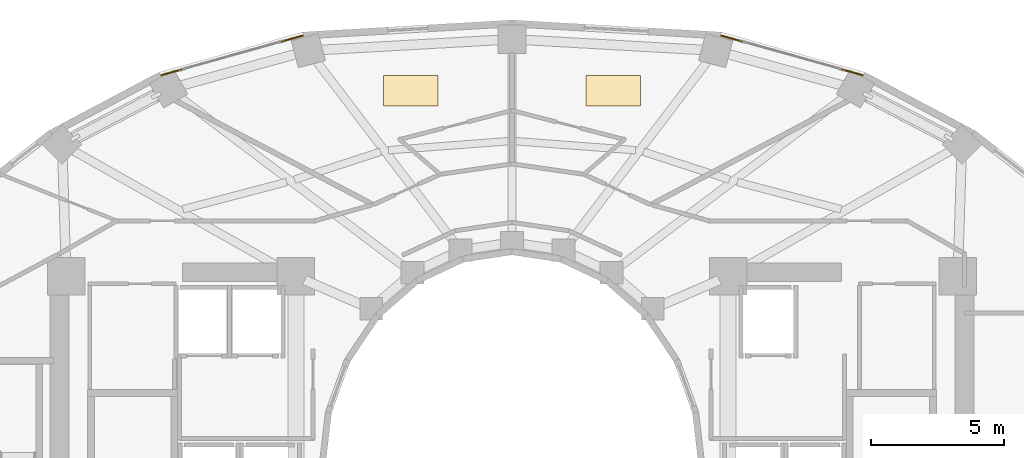
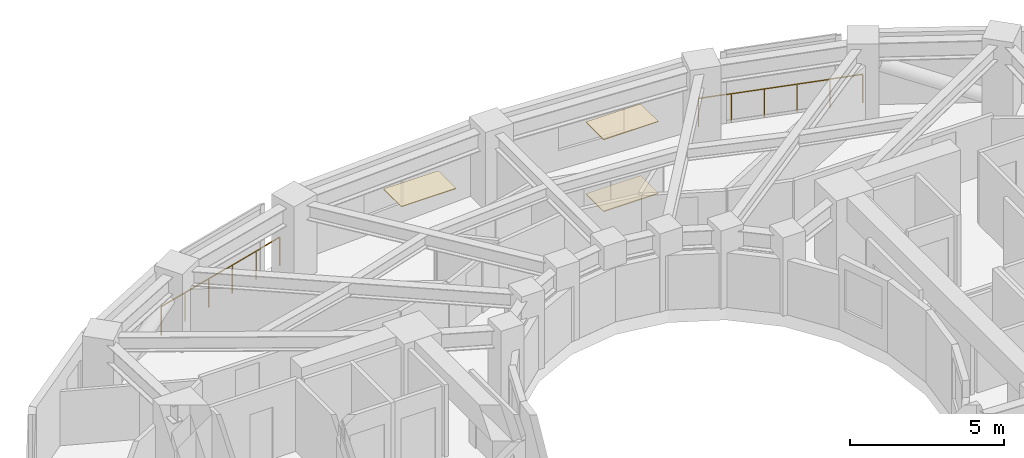
# One storey, part 18 of 18: 3 coverings, 2 railings.
"""IFC4 building model written with IfcOpenShell, lengths in metres."""

from ifc_helpers import new_model, si_unit, direction, frame, origin, origin_2d, place, context, subcontext, project, spatial, polyline, circle, outline, extrude, material, layer, layer_set, type_object, element, save


model = new_model("IFC4")

# Units and contexts
model_context = context("Model", 3, precision=1e-05, world=origin(), true_north=direction((0.0, 1.0)))
body_context = subcontext(model_context, "Body", "Model", "MODEL_VIEW")
ifc_project = project(units=[si_unit("LENGTHUNIT", "METRE"), si_unit("AREAUNIT", "SQUARE_METRE"), si_unit("VOLUMEUNIT", "CUBIC_METRE"), si_unit("PLANEANGLEUNIT", "RADIAN"), si_unit("MASSUNIT", "GRAM", prefix="KILO")], contexts=[model_context])

# Site, building, storey
site_placement = place(None, origin())
site = spatial("IfcSite", under=ifc_project, at=site_placement, CompositionType="ELEMENT")
building_placement = place(site_placement, origin())
building = spatial("IfcBuilding", under=site, at=building_placement, Name="Solvane Sanctuary Tower", CompositionType="ELEMENT")
storey_placement = place(building_placement, frame((0.0, 0.0, 94.89990234375)))
storey = spatial("IfcBuildingStorey", under=building, at=storey_placement, Name="L28", CompositionType="ELEMENT", Elevation=94.89990234375)

# Coverings
ifc_material_1 = material(Name="Acoustic Gypsum Partition Board")
ifc_layer_1 = layer(ifc_material_1, 0.02490234375, Name="Acoustic Gypsum Partition Board")
ifc_layer_set_1 = layer_set([ifc_layer_1], Name="Acoustic Gypsum Partition Board")
covering_type_1 = type_object("IfcCoveringType", Name="Covering CLG-ACOUST", PredefinedType="CEILING", material=ifc_layer_set_1)
covering_1_placement = place(storey_placement, frame((0.0, 0.0, 2.85009765625)))
element("IfcCovering", 1, at=covering_1_placement, inside=storey, type_object=covering_type_1, Name="L28 Unit Acoustic Ceiling Panel 1", PredefinedType="CEILING", context=body_context, shape_type="SweptSolid", body=[
    extrude(outline(polyline([(34.76708984375, 36.575927734375), (36.81689453125, 36.575927734375), (36.81689453125, 37.72607421875), (34.76708984375, 37.72607421875), (34.76708984375, 36.575927734375)])), origin(), (0.0, 0.0, 1.0), 0.030029296875),
])
covering_2_placement = place(storey_placement, frame((0.0, 0.0, 2.85009765625)))
element("IfcCovering", 2, at=covering_2_placement, inside=storey, type_object=covering_type_1, Name="L28 Unit Acoustic Ceiling Panel 2", PredefinedType="CEILING", context=body_context, shape_type="SweptSolid", body=[
    extrude(outline(polyline([(27.18310546875, 36.575927734375), (29.23291015625, 36.575927734375), (29.23291015625, 37.72607421875), (27.18310546875, 37.72607421875), (27.18310546875, 36.575927734375)])), origin(), (0.0, 0.0, 1.0), 0.030029296875),
])
ifc_material_2 = material(Name="Ceramic Tile Finish")
ifc_layer_2 = layer(ifc_material_2, 0.030029296875, Name="Ceramic Tile Finish")
ifc_layer_set_2 = layer_set([ifc_layer_2], Name="Ceramic Tile Finish")
covering_type_2 = type_object("IfcCoveringType", Name="Covering FLR-TERRAZZO", PredefinedType="FLOORING", material=ifc_layer_set_2)
covering_3_placement = place(storey_placement, origin())
element("IfcCovering", 3, at=covering_3_placement, inside=storey, type_object=covering_type_2, Name="L28 Unit Terrazzo Inlay 1", PredefinedType="FLOORING", context=body_context, shape_type="SweptSolid", body=[
    extrude(outline(polyline([(34.76708984375, 36.575927734375), (36.81689453125, 36.575927734375), (36.81689453125, 37.72607421875), (34.76708984375, 37.72607421875), (34.76708984375, 36.575927734375)])), origin(), (0.0, 0.0, 1.0), 0.03515625),
])

# Railings
ifc_material_3 = material(Name="Architectural Stainless Steel 316", Category="steel")
railing_type = type_object("IfcRailingType", Name="Railing GR-BALC-1150", PredefinedType="BALUSTRADE", material=ifc_material_3)
railing_1_placement = place(storey_placement, frame((45.144287109375, 37.7294921875, 0.0)))
element("IfcRailing", 4, at=railing_1_placement, inside=storey, type_object=railing_type, Name="L28 Curtain-Wall Perimeter Sill Guard 04", PredefinedType="BALUSTRADE", context=body_context, shape_type="SweptSolid", body=[
    extrude(circle(Radius=0.02392578125, at=origin_2d()), frame((0.0, 0.0, 1.1259765625), z_axis=(-0.96295710783, 0.269654609601, 0.0), x_axis=(-0.269654609601, -0.96295710783, 0.0)), (0.0, 0.0, 1.0), 5.5029296875),
    extrude(circle(Radius=0.02099609375, at=origin_2d()), origin(), (0.0, 0.0, 1.0), 1.101806640625),
    extrude(circle(Radius=0.02099609375, at=origin_2d()), frame((-1.059814453125, 0.296875, 0.0)), (0.0, 0.0, 1.0), 1.101806640625),
    extrude(circle(Radius=0.02099609375, at=origin_2d()), frame((-2.11962890625, 0.593505859375, 0.0)), (0.0, 0.0, 1.0), 1.101806640625),
    extrude(circle(Radius=0.02099609375, at=origin_2d()), frame((-3.179443359375, 0.890380859375, 0.0)), (0.0, 0.0, 1.0), 1.101806640625),
    extrude(circle(Radius=0.02099609375, at=origin_2d()), frame((-4.2392578125, 1.18701171875, 0.0)), (0.0, 0.0, 1.0), 1.101806640625),
    extrude(circle(Radius=0.02099609375, at=origin_2d()), frame((-5.299072265625, 1.48388671875, 0.0)), (0.0, 0.0, 1.0), 1.101806640625),
])
railing_2_placement = place(storey_placement, frame((24.15478515625, 39.21337890625, 0.0)))
element("IfcRailing", 5, at=railing_2_placement, inside=storey, type_object=railing_type, Name="L28 Curtain-Wall Perimeter Sill Guard 07", PredefinedType="BALUSTRADE", context=body_context, shape_type="SweptSolid", body=[
    extrude(circle(Radius=0.02392578125, at=origin_2d()), frame((0.0, 0.0, 1.1259765625), z_axis=(-0.96295710783, -0.269654609601, 0.0), x_axis=(0.269654609601, -0.96295710783, 0.0)), (0.0, 0.0, 1.0), 5.5029296875),
    extrude(circle(Radius=0.02099609375, at=origin_2d()), origin(), (0.0, 0.0, 1.0), 1.101806640625),
    extrude(circle(Radius=0.02099609375, at=origin_2d()), frame((-1.059814453125, -0.296875, 0.0)), (0.0, 0.0, 1.0), 1.101806640625),
    extrude(circle(Radius=0.02099609375, at=origin_2d()), frame((-2.11962890625, -0.593505859375, 0.0)), (0.0, 0.0, 1.0), 1.101806640625),
    extrude(circle(Radius=0.02099609375, at=origin_2d()), frame((-3.179443359375, -0.890380859375, 0.0)), (0.0, 0.0, 1.0), 1.101806640625),
    extrude(circle(Radius=0.02099609375, at=origin_2d()), frame((-4.2392578125, -1.18701171875, 0.0)), (0.0, 0.0, 1.0), 1.101806640625),
    extrude(circle(Radius=0.02099609375, at=origin_2d()), frame((-5.299072265625, -1.48388671875, 0.0)), (0.0, 0.0, 1.0), 1.101806640625),
])

save(model, "model.ifc")
